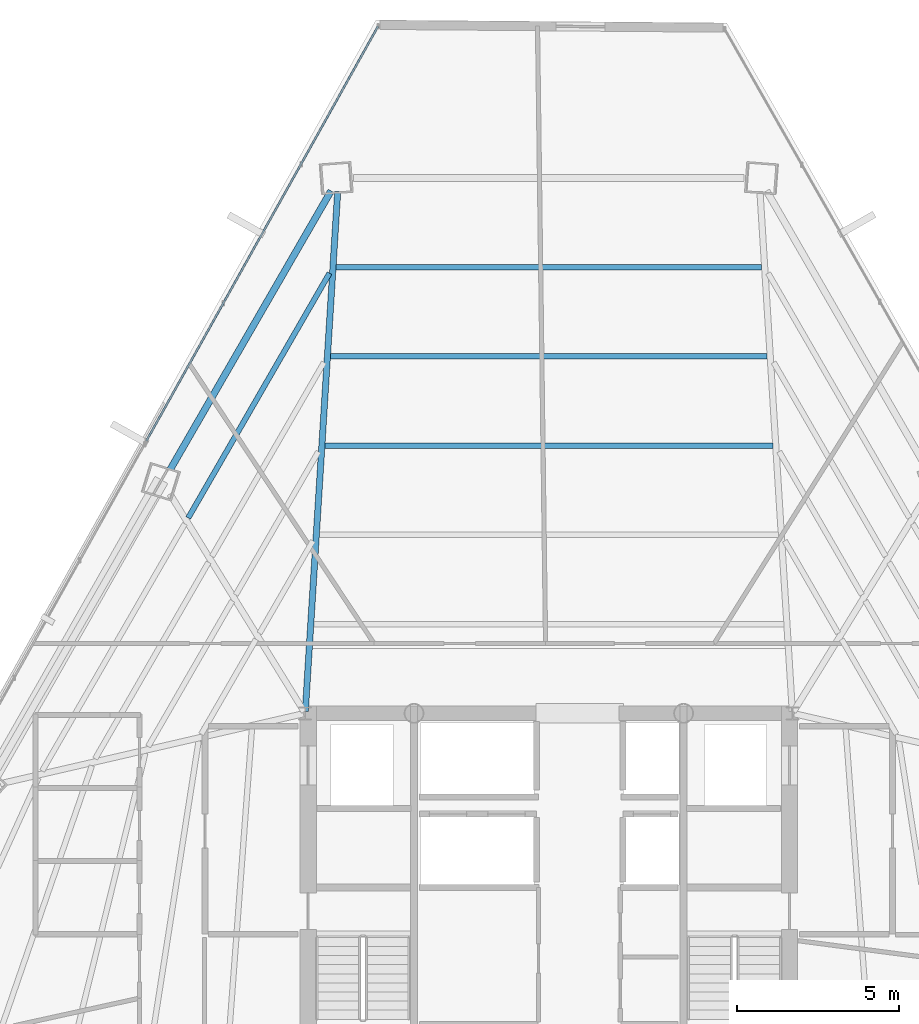
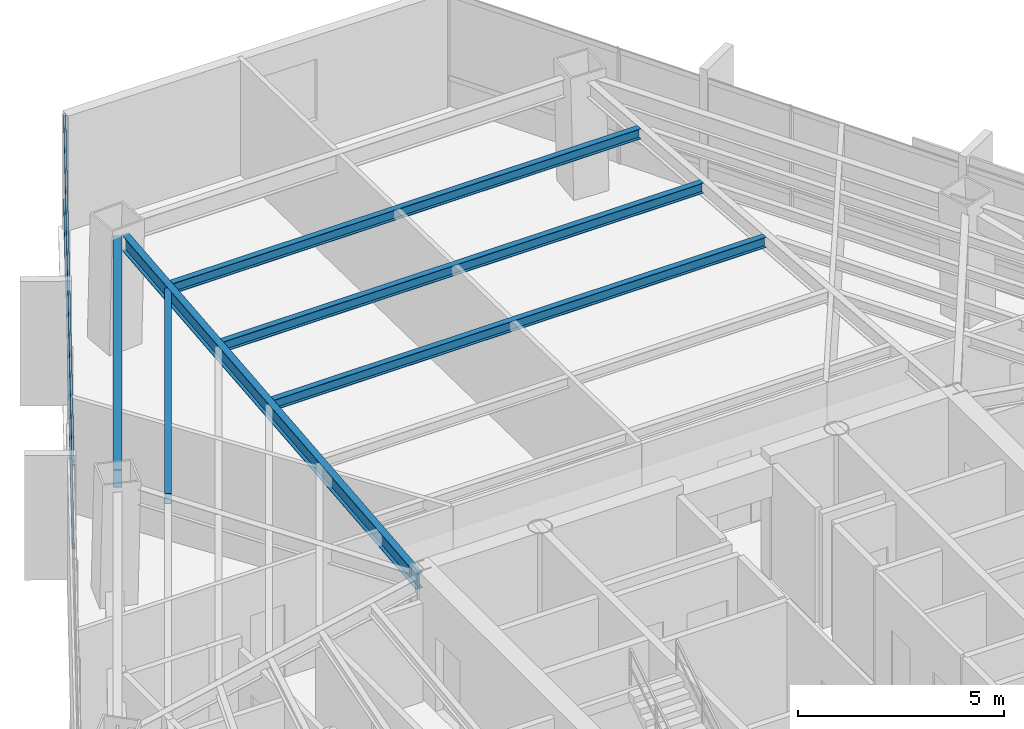
# One storey, part 27 of 39: 6 beams, 2 members, 1 element without a shape of its own.
"""IFC4 building model written with IfcOpenShell, lengths in metres."""

from ifc_helpers import new_model, si_unit, direction, frame, origin, origin_2d, place, context, subcontext, project, spatial, hollow_rectangle, i_section, extrude, source, transform, mapped, material, material_profile, profile_set, type_object, type_shapes, element, aggregate, save


model = new_model("IFC4")

# Units and contexts
model_context = context("Model", 3, precision=1e-05, world=origin(), true_north=direction((0.0, 1.0)))
body_context = subcontext(model_context, "Body", "Model", "MODEL_VIEW")
ifc_project = project(units=[si_unit("LENGTHUNIT", "METRE"), si_unit("AREAUNIT", "SQUARE_METRE"), si_unit("VOLUMEUNIT", "CUBIC_METRE"), si_unit("PLANEANGLEUNIT", "RADIAN"), si_unit("MASSUNIT", "GRAM", prefix="KILO")], contexts=[model_context])

# Site, building, storey
site_placement = place(None, origin())
site = spatial("IfcSite", under=ifc_project, at=site_placement, CompositionType="ELEMENT")
building_placement = place(site_placement, origin())
building = spatial("IfcBuilding", under=site, at=building_placement, Name="Caelisora Broadcast Tower", CompositionType="ELEMENT")
storey_placement = place(building_placement, frame((0.0, 0.0, 142.75)))
storey = spatial("IfcBuildingStorey", under=building, at=storey_placement, Name="L37", CompositionType="ELEMENT", Elevation=142.75)

# Beams
ifc_material_1 = material(Name="Steel Grade 350 (AS/NZS 3679.1)", Category="steel")
ifc_material_profile_1 = material_profile(ifc_material_1, i_section(OverallWidth=0.208984375, OverallDepth=0.532958984375, WebThickness=0.01025390625, FlangeThickness=0.015625, at=origin_2d()), Name="Steel Grade 350 (AS/NZS 3679.1)")
ifc_profile_set_1 = profile_set([ifc_material_profile_1], Name="Steel Grade 350 (AS/NZS 3679.1)")
beam_type_1 = type_object("IfcBeamType", Name="PG05", PredefinedType="BEAM", material=ifc_profile_set_1)
shared_shape_1 = source(origin(), body_context, "Body", "SweptSolid", [
    extrude(i_section(OverallWidth=0.208984375, OverallDepth=0.532958984375, WebThickness=0.01025390625, FlangeThickness=0.015625, at=origin_2d()), origin(), (0.0, 0.0, 1.0), 9.9013671875),
])
type_shapes(beam_type_1, [shared_shape_1])
beam_1_placement = place(storey_placement, frame((31.29638671875, 46.082763671875, 3.133544921875), z_axis=(-0.499994942134, -0.866028323925, 0.0), x_axis=(0.866028323925, -0.499994942134, 0.0)))
element("IfcBeam", 1, at=beam_1_placement, inside=storey, type_object=beam_type_1, Name="L37 beam PG05", PredefinedType="BEAM", context=body_context, shape_type="MappedRepresentation", body=[
    mapped(shared_shape_1, transform((0.0, 0.0, 0.0), scale=1.0)),
])
ifc_material_profile_2 = material_profile(ifc_material_1, i_section(OverallWidth=0.19091796875, OverallDepth=0.46044921875, WebThickness=0.010009765625, FlangeThickness=0.01611328125, at=origin_2d()), Name="Steel Grade 350 (AS/NZS 3679.1)")
ifc_profile_set_2 = profile_set([ifc_material_profile_2], Name="Steel Grade 350 (AS/NZS 3679.1)")
beam_type_2 = type_object("IfcBeamType", Name="PG06", PredefinedType="BEAM", material=ifc_profile_set_2)
shared_shape_2 = source(origin(), body_context, "Body", "SweptSolid", [
    extrude(i_section(OverallWidth=0.19091796875, OverallDepth=0.46044921875, WebThickness=0.010009765625, FlangeThickness=0.01611328125, at=origin_2d()), origin(), (0.0, 0.0, 1.0), 16.033203125),
])
type_shapes(beam_type_2, [shared_shape_2])
beam_2_placement = place(storey_placement, frame((30.503662109375, 30.059814453125, 3.169921875), z_axis=(0.062157401456, 0.998066359239, 0.0), x_axis=(-0.998066359239, 0.062157401456, 0.0)))
element("IfcBeam", 2, at=beam_2_placement, inside=storey, type_object=beam_type_2, Name="L37 beam PG06", PredefinedType="BEAM", context=body_context, shape_type="MappedRepresentation", body=[
    mapped(shared_shape_2, transform((0.0, 0.0, 0.0), scale=1.0)),
])
ifc_material_profile_3 = material_profile(ifc_material_1, i_section(OverallWidth=0.166015625, OverallDepth=0.30712890625, WebThickness=0.006591796875, FlangeThickness=0.01171875, at=origin_2d()), Name="Steel Grade 350 (AS/NZS 3679.1)")
ifc_profile_set_3 = profile_set([ifc_material_profile_3], Name="Steel Grade 350 (AS/NZS 3679.1)")
beam_type_3 = type_object("IfcBeamType", Name="SB03", PredefinedType="JOIST", material=ifc_profile_set_3)
shared_shape_3 = source(origin(), body_context, "Body", "SweptSolid", [
    extrude(i_section(OverallWidth=0.166015625, OverallDepth=0.30712890625, WebThickness=0.006591796875, FlangeThickness=0.01171875, at=origin_2d()), origin(), (0.0, 0.0, 1.0), 13.7880859375),
])
beam_3_placement = place(storey_placement, frame((44.89404296875, 38.240478515625, 3.246337890625), z_axis=(-1.0, 0.0, 0.0), x_axis=(0.0, -1.0, 0.0)))
element("IfcBeam", 3, at=beam_3_placement, inside=storey, type_object=beam_type_3, Name="L37 beam SB03", PredefinedType="JOIST", context=body_context, shape_type="MappedRepresentation", body=[
    mapped(shared_shape_3, transform((0.0, 0.0, 0.0), scale=1.0)),
])
shared_shape_4 = source(origin(), body_context, "Body", "SweptSolid", [
    extrude(i_section(OverallWidth=0.166015625, OverallDepth=0.30712890625, WebThickness=0.006591796875, FlangeThickness=0.01171875, at=origin_2d()), origin(), (0.0, 0.0, 1.0), 13.44580078125),
])
beam_4_placement = place(storey_placement, frame((44.722900390625, 40.9873046875, 3.246337890625), z_axis=(-1.0, 0.0, 0.0), x_axis=(0.0, -1.0, 0.0)))
element("IfcBeam", 4, at=beam_4_placement, inside=storey, type_object=beam_type_3, Name="L37 beam SB03", PredefinedType="JOIST", context=body_context, shape_type="MappedRepresentation", body=[
    mapped(shared_shape_4, transform((0.0, 0.0, 0.0), scale=1.0)),
])
shared_shape_5 = source(origin(), body_context, "Body", "SweptSolid", [
    extrude(i_section(OverallWidth=0.166015625, OverallDepth=0.30712890625, WebThickness=0.006591796875, FlangeThickness=0.01171875, at=origin_2d()), origin(), (0.0, 0.0, 1.0), 13.10400390625),
])
beam_5_placement = place(storey_placement, frame((44.552001953125, 43.734375, 3.246337890625), z_axis=(-1.0, 0.0, 0.0), x_axis=(0.0, -1.0, 0.0)))
element("IfcBeam", 5, at=beam_5_placement, inside=storey, type_object=beam_type_3, Name="L37 beam SB03", PredefinedType="JOIST", context=body_context, shape_type="MappedRepresentation", body=[
    mapped(shared_shape_5, transform((0.0, 0.0, 0.0), scale=1.0)),
])
shared_shape_6 = source(origin(), body_context, "Body", "SweptSolid", [
    extrude(i_section(OverallWidth=0.166015625, OverallDepth=0.30712890625, WebThickness=0.006591796875, FlangeThickness=0.01171875, at=origin_2d()), origin(), (0.0, 0.0, 1.0), 8.700927734375),
])
type_shapes(beam_type_3, [shared_shape_3, shared_shape_4, shared_shape_5, shared_shape_6])
beam_6_placement = place(storey_placement, frame((31.24951171875, 43.551025390625, 3.246337890625), z_axis=(-0.499992871985, -0.866029519106, 0.0), x_axis=(0.866029519106, -0.499992871985, 0.0)))
element("IfcBeam", 6, at=beam_6_placement, inside=storey, type_object=beam_type_3, Name="L37 beam SB03", PredefinedType="JOIST", context=body_context, shape_type="MappedRepresentation", body=[
    mapped(shared_shape_6, transform((0.0, 0.0, 0.0), scale=1.0)),
])

# Curtain wall, members
ifc_material_2 = material(Name="Unitised Aluminium and Low-E Glass Curtain Wall", Category="glass")
curtain_wall_type = type_object("IfcCurtainWallType", Name="CW-Z3", PredefinedType="NOTDEFINED", material=ifc_material_2)
curtain_wall_placement = place(storey_placement, origin())
curtain_wall = element("IfcCurtainWall", 7, at=curtain_wall_placement, inside=storey, type_object=curtain_wall_type, Name="L37 curtain wall CW-Z3", PredefinedType="NOTDEFINED")
ifc_material_3 = material(Name="Aluminium 6063-T6 Anodised Terracotta Bronze", Category="aluminium")
ifc_material_profile_4 = material_profile(ifc_material_3, hollow_rectangle(XDim=0.06005859375, YDim=0.14990234375, WallThickness=0.00341796875, at=origin_2d()), Name="Aluminium 6063-T6 Anodised Terracotta Bronze")
ifc_profile_set_4 = profile_set([ifc_material_profile_4], Name="Aluminium 6063-T6 Anodised Terracotta Bronze")
member_type = type_object("IfcMemberType", Name="CWT-02", PredefinedType="USERDEFINED", material=ifc_profile_set_4)
shared_shape_7 = source(origin(), body_context, "Body", "SweptSolid", [
    extrude(hollow_rectangle(XDim=0.06005859375, YDim=0.14990234375, WallThickness=0.00341796875, at=origin_2d()), origin(), (0.0, 0.0, 1.0), 14.623779296875),
])
type_shapes(member_type, [shared_shape_7])
member_1_placement = place(storey_placement, frame((25.6083984375, 38.38330078125, 0.85009765625), z_axis=(0.487784688401, 0.872963972774, 0.0), x_axis=(-0.872963972774, 0.487784688401, 0.0)))
member_1 = element("IfcMember", 8, at=member_1_placement, type_object=member_type, Name="L37-CW-B11 transom #1", ObjectType="TRANSOM", PredefinedType="USERDEFINED", context=body_context, shape_type="MappedRepresentation", body=[
    mapped(shared_shape_7, transform((0.0, 0.0, 0.0), scale=1.0)),
])
member_2_placement = place(storey_placement, frame((25.6083984375, 38.38330078125, 3.320068359375), z_axis=(0.487784688401, 0.872963972774, 0.0), x_axis=(-0.872963972774, 0.487784688401, 0.0)))
member_2 = element("IfcMember", 9, at=member_2_placement, type_object=member_type, Name="L37-CW-B11 transom #2", ObjectType="TRANSOM", PredefinedType="USERDEFINED", context=body_context, shape_type="MappedRepresentation", body=[
    mapped(shared_shape_7, transform((0.0, 0.0, 0.0), scale=1.0)),
])
aggregate(curtain_wall, [member_1, member_2])

save(model, "model.ifc")
